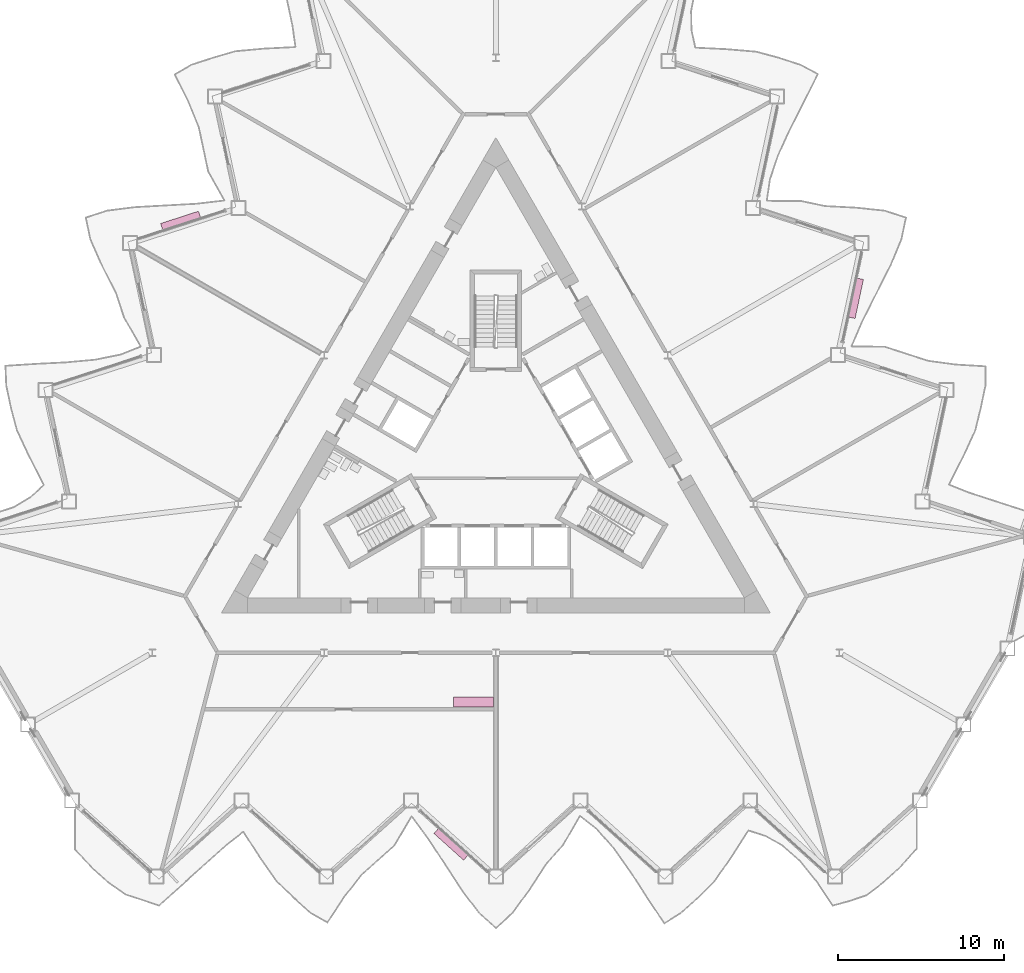
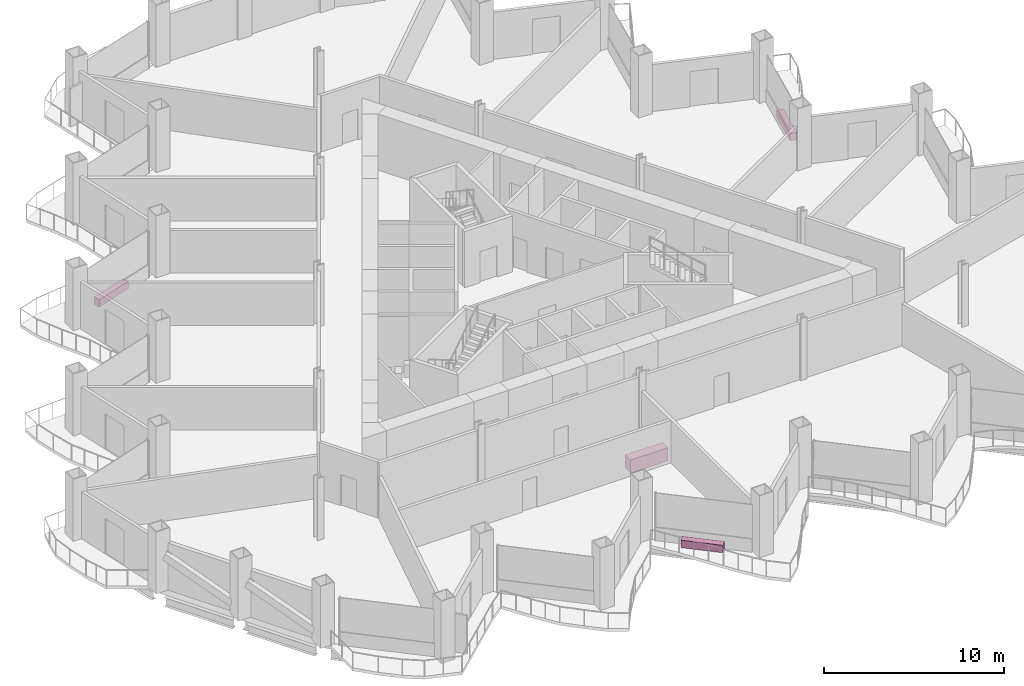
# One storey, part 21 of 21: 4 furniture elements.
"""IFC4 building model written with IfcOpenShell, lengths in metres."""

from ifc_helpers import new_model, si_unit, direction, frame, origin, origin_2d, place, context, subcontext, project, spatial, rectangle, extrude, material, type_object, element, save


model = new_model("IFC4")

# Units and contexts
model_context = context("Model", 3, precision=1e-05, world=origin(), true_north=direction((0.0, 1.0)))
body_context = subcontext(model_context, "Body", "Model", "MODEL_VIEW")
ifc_project = project(units=[si_unit("LENGTHUNIT", "METRE"), si_unit("AREAUNIT", "SQUARE_METRE"), si_unit("VOLUMEUNIT", "CUBIC_METRE"), si_unit("PLANEANGLEUNIT", "RADIAN"), si_unit("MASSUNIT", "GRAM", prefix="KILO")], contexts=[model_context])

# Site, building, storey
site_placement = place(None, origin())
site = spatial("IfcSite", under=ifc_project, at=site_placement, CompositionType="ELEMENT")
building_placement = place(site_placement, origin())
building = spatial("IfcBuilding", under=site, at=building_placement, Name="Cormorant Prow Tower", CompositionType="ELEMENT")
storey_placement = place(building_placement, frame((0.0, 0.0, 137.39990234375)))
storey = spatial("IfcBuildingStorey", under=building, at=storey_placement, Name="L29", CompositionType="ELEMENT", Elevation=137.39990234375)

# Furniture
ifc_material_1 = material(Name="Terracotta", Category="masonry")
furniture_type_1 = type_object("IfcFurnitureType", Name="Balcony planter 2400x400x500", AssemblyPlace="NOTDEFINED", PredefinedType="USERDEFINED", material=ifc_material_1)
for number, where, z_axis, x_axis, name in (
    (1, (-2.699462890625, -23.453857421875, 0.0), (0.0, 0.0, 1.0), (0.743144846674, -0.669130582818, 0.0), "Balcony planter S04"),
    (2, (21.661376953125, 9.38916015625, 0.0), (0.0, 0.0, 1.0), (0.207911689964, 0.978147600915, 0.0), "Balcony planter ENE04"),
    (3, (-18.9619140625, 14.064697265625, 0.0), (0.0, 0.0, 1.0), (-0.951056511608, -0.3090170088, 0.0), "Balcony planter WNW04"),
):
    element("IfcFurniture", number, at=place(storey_placement, frame(where, z_axis=z_axis, x_axis=x_axis)), inside=storey, type_object=furniture_type_1, Name=name, ObjectType="PLANTER", PredefinedType="USERDEFINED", context=body_context, shape_type="SweptSolid", body=[
        extrude(rectangle(XDim=2.39990234375, YDim=0.39990234375, at=origin_2d()), origin(), (0.0, 0.0, 1.0), 0.5),
    ])
ifc_material_2 = material(Name="Timber joinery", Category="wood")
furniture_type_2 = type_object("IfcFurnitureType", Name="Kitchen counter 2400x600", AssemblyPlace="NOTDEFINED", PredefinedType="NOTDEFINED", material=ifc_material_2)
furniture_placement = place(storey_placement, frame((-1.344970703125, -14.88134765625, 0.000244140625), z_axis=(0.0, 0.0, 1.0), x_axis=(-1.0, 0.0, 0.0)))
element("IfcFurniture", 4, at=furniture_placement, inside=storey, type_object=furniture_type_2, Name="Kitchen counter", PredefinedType="NOTDEFINED", context=body_context, shape_type="SweptSolid", body=[
    extrude(rectangle(XDim=2.39990234375, YDim=0.60009765625, at=origin_2d()), origin(), (0.0, 0.0, 1.0), 0.89990234375),
])

save(model, "model.ifc")
